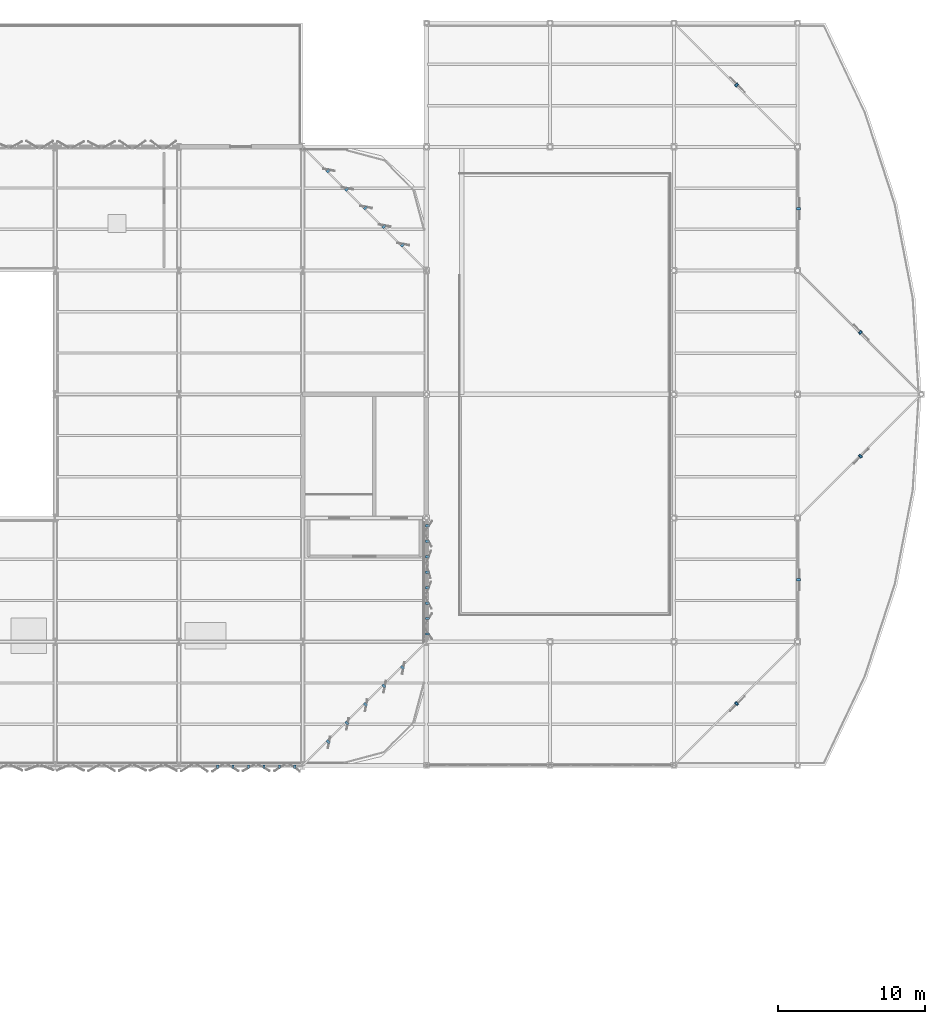
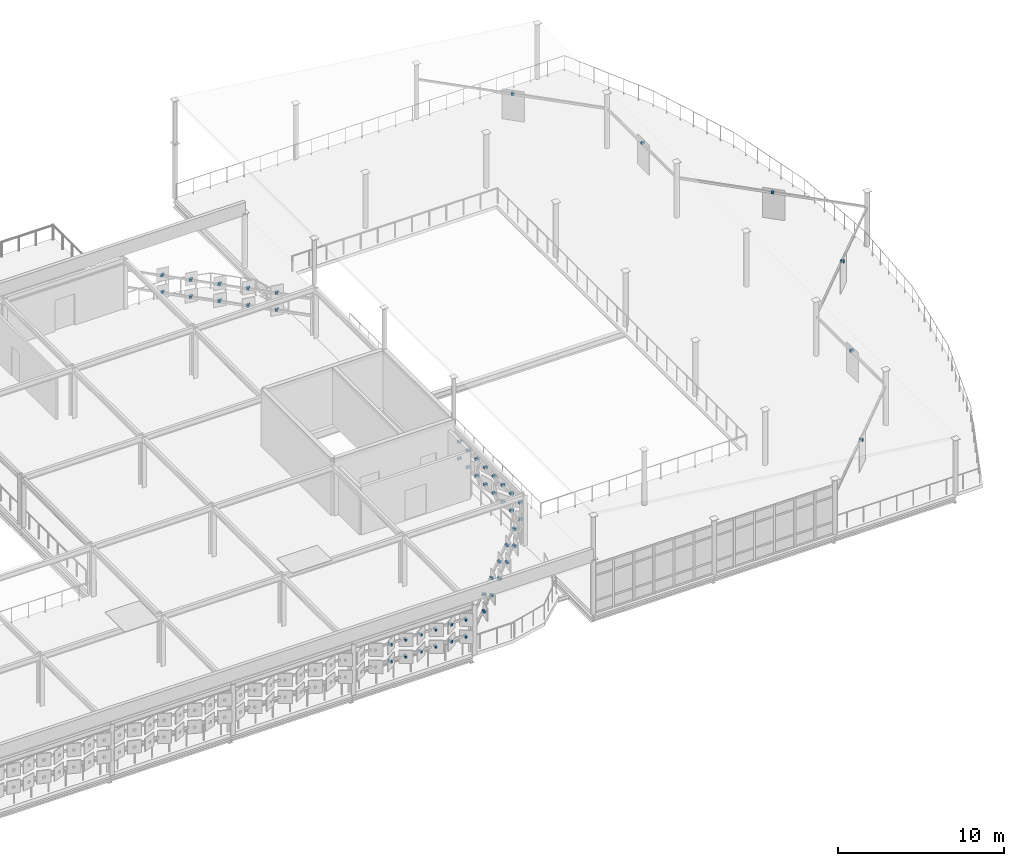
# One storey, part 60 of 65: 54 discrete accessories.
"""IFC4 building model written with IfcOpenShell, lengths in metres."""

from ifc_helpers import new_model, si_unit, direction, frame, origin, origin_2d, place, context, subcontext, project, spatial, rectangle, extrude, material, type_object, element, save


model = new_model("IFC4")

# Units and contexts
model_context = context("Model", 3, precision=1e-05, world=origin(), true_north=direction((0.0, 1.0)))
body_context = subcontext(model_context, "Body", "Model", "MODEL_VIEW")
ifc_project = project(units=[si_unit("LENGTHUNIT", "METRE"), si_unit("AREAUNIT", "SQUARE_METRE"), si_unit("VOLUMEUNIT", "CUBIC_METRE"), si_unit("PLANEANGLEUNIT", "RADIAN"), si_unit("MASSUNIT", "GRAM", prefix="KILO")], contexts=[model_context])

# Site, building, storey
site_placement = place(None, origin())
site = spatial("IfcSite", under=ifc_project, at=site_placement, CompositionType="ELEMENT")
building_placement = place(site_placement, origin())
building = spatial("IfcBuilding", under=site, at=building_placement, Name="Qalvenar Corner Mobility Hub", CompositionType="ELEMENT")
storey_placement = place(building_placement, frame((0.0, 0.0, 17.39990234375)))
storey = spatial("IfcBuildingStorey", under=building, at=storey_placement, Name="L04", CompositionType="ELEMENT", Elevation=17.39990234375)

# Discrete accessories
ifc_material = material(Name="Steel S355", Category="steel")
discrete_accessory_type = type_object("IfcDiscreteAccessoryType", Name="ACC-HINGE-BRK", PredefinedType="BRACKET", material=ifc_material)
for number, where, z_axis, x_axis, name in (
    (1, (128.625, 67.1201171875, 1.419921875), (0.0, 0.0, 1.0), (1.0, 0.0, 0.0), "Panel Hinge Bracket BK-L04-1197"),
    (2, (128.625, 67.1201171875, 2.669921875), (0.0, 0.0, 1.0), (1.0, 0.0, 0.0), "Panel Hinge Bracket BK-L04-1198"),
    (3, (129.675048828125, 67.1201171875, 1.419921875), (0.0, 0.0, 1.0), (1.0, 0.0, 0.0), "Panel Hinge Bracket BK-L04-1199"),
    (4, (129.675048828125, 67.1201171875, 2.669921875), (0.0, 0.0, 1.0), (1.0, 0.0, 0.0), "Panel Hinge Bracket BK-L04-1200"),
    (5, (130.72509765625, 67.1201171875, 1.419921875), (0.0, 0.0, 1.0), (1.0, 0.0, 0.0), "Panel Hinge Bracket BK-L04-1201"),
    (6, (130.72509765625, 67.1201171875, 2.669921875), (0.0, 0.0, 1.0), (1.0, 0.0, 0.0), "Panel Hinge Bracket BK-L04-1202"),
    (7, (131.77490234375, 67.1201171875, 1.419921875), (0.0, 0.0, 1.0), (1.0, 0.0, 0.0), "Panel Hinge Bracket BK-L04-1203"),
    (8, (131.77490234375, 67.1201171875, 2.669921875), (0.0, 0.0, 1.0), (1.0, 0.0, 0.0), "Panel Hinge Bracket BK-L04-1204"),
    (9, (132.824951171875, 67.1201171875, 1.419921875), (0.0, 0.0, 1.0), (1.0, 0.0, 0.0), "Panel Hinge Bracket BK-L04-1205"),
    (10, (132.824951171875, 67.1201171875, 2.669921875), (0.0, 0.0, 1.0), (1.0, 0.0, 0.0), "Panel Hinge Bracket BK-L04-1206"),
    (11, (133.875, 67.1201171875, 1.419921875), (0.0, 0.0, 1.0), (1.0, 0.0, 0.0), "Panel Hinge Bracket BK-L04-1207"),
    (12, (133.875, 67.1201171875, 2.669921875), (0.0, 0.0, 1.0), (1.0, 0.0, 0.0), "Panel Hinge Bracket BK-L04-1208"),
    (13, (142.8798828125, 76.125, 1.419921875), (0.0, 0.0, 1.0), (0.0, 1.0, 0.0), "Panel Hinge Bracket BK-L04-1353"),
    (14, (142.8798828125, 76.125, 2.669921875), (0.0, 0.0, 1.0), (0.0, 1.0, 0.0), "Panel Hinge Bracket BK-L04-1354"),
    (15, (142.8798828125, 77.175048828125, 1.419921875), (0.0, 0.0, 1.0), (0.0, 1.0, 0.0), "Panel Hinge Bracket BK-L04-1355"),
    (16, (142.8798828125, 77.175048828125, 2.669921875), (0.0, 0.0, 1.0), (0.0, 1.0, 0.0), "Panel Hinge Bracket BK-L04-1356"),
    (17, (142.8798828125, 78.22509765625, 1.419921875), (0.0, 0.0, 1.0), (0.0, 1.0, 0.0), "Panel Hinge Bracket BK-L04-1357"),
    (18, (142.8798828125, 78.22509765625, 2.669921875), (0.0, 0.0, 1.0), (0.0, 1.0, 0.0), "Panel Hinge Bracket BK-L04-1358"),
    (19, (142.8798828125, 79.27490234375, 1.419921875), (0.0, 0.0, 1.0), (0.0, 1.0, 0.0), "Panel Hinge Bracket BK-L04-1359"),
    (20, (142.8798828125, 79.27490234375, 2.669921875), (0.0, 0.0, 1.0), (0.0, 1.0, 0.0), "Panel Hinge Bracket BK-L04-1360"),
    (21, (142.8798828125, 80.324951171875, 1.419921875), (0.0, 0.0, 1.0), (0.0, 1.0, 0.0), "Panel Hinge Bracket BK-L04-1361"),
    (22, (142.8798828125, 80.324951171875, 2.669921875), (0.0, 0.0, 1.0), (0.0, 1.0, 0.0), "Panel Hinge Bracket BK-L04-1362"),
    (23, (142.8798828125, 81.375, 1.419921875), (0.0, 0.0, 1.0), (0.0, 1.0, 0.0), "Panel Hinge Bracket BK-L04-1363"),
    (24, (142.8798828125, 81.375, 2.669921875), (0.0, 0.0, 1.0), (0.0, 1.0, 0.0), "Panel Hinge Bracket BK-L04-1364"),
    (25, (142.8798828125, 82.425048828125, 1.419921875), (0.0, 0.0, 1.0), (0.0, 1.0, 0.0), "Panel Hinge Bracket BK-L04-1365"),
    (26, (142.8798828125, 82.425048828125, 2.669921875), (0.0, 0.0, 1.0), (0.0, 1.0, 0.0), "Panel Hinge Bracket BK-L04-1366"),
    (27, (142.8798828125, 83.47509765625, 1.419921875), (0.0, 0.0, 1.0), (0.0, 1.0, 0.0), "Panel Hinge Bracket BK-L04-1367"),
    (28, (142.8798828125, 83.47509765625, 2.669921875), (0.0, 0.0, 1.0), (0.0, 1.0, 0.0), "Panel Hinge Bracket BK-L04-1368"),
    (29, (136.13671875, 68.823486328125, 1.419921875), (0.0, 0.0, 1.0), (0.707106781187, 0.707106781187, 0.0), "Corner Hinge Bracket BKC-L04-1379"),
    (30, (137.396484375, 70.08349609375, 1.419921875), (0.0, 0.0, 1.0), (0.707106781187, 0.707106781187, 0.0), "Corner Hinge Bracket BKC-L04-1380"),
    (31, (138.656494140625, 71.343505859375, 1.419921875), (0.0, 0.0, 1.0), (0.707106781187, 0.707106781187, 0.0), "Corner Hinge Bracket BKC-L04-1381"),
    (32, (139.91650390625, 72.603515625, 1.419921875), (0.0, 0.0, 1.0), (0.707106781187, 0.707106781187, 0.0), "Corner Hinge Bracket BKC-L04-1382"),
    (33, (141.176513671875, 73.86328125, 1.419921875), (0.0, 0.0, 1.0), (0.707106781187, 0.707106781187, 0.0), "Corner Hinge Bracket BKC-L04-1383"),
    (34, (136.13671875, 68.823486328125, 2.669921875), (0.0, 0.0, 1.0), (0.707106781187, 0.707106781187, 0.0), "Corner Hinge Bracket BKC-L04-1384"),
    (35, (137.396484375, 70.08349609375, 2.669921875), (0.0, 0.0, 1.0), (0.707106781187, 0.707106781187, 0.0), "Corner Hinge Bracket BKC-L04-1385"),
    (36, (138.656494140625, 71.343505859375, 2.669921875), (0.0, 0.0, 1.0), (0.707106781187, 0.707106781187, 0.0), "Corner Hinge Bracket BKC-L04-1386"),
    (37, (139.91650390625, 72.603515625, 2.669921875), (0.0, 0.0, 1.0), (0.707106781187, 0.707106781187, 0.0), "Corner Hinge Bracket BKC-L04-1387"),
    (38, (141.176513671875, 73.86328125, 2.669921875), (0.0, 0.0, 1.0), (0.707106781187, 0.707106781187, 0.0), "Corner Hinge Bracket BKC-L04-1388"),
    (39, (141.176513671875, 102.53662109375, 1.419921875), (0.0, 0.0, 1.0), (-0.707106781187, 0.707106781187, 0.0), "Corner Hinge Bracket BKC-L04-1389"),
    (40, (139.91650390625, 103.796630859375, 1.419921875), (0.0, 0.0, 1.0), (-0.707106781187, 0.707106781187, 0.0), "Corner Hinge Bracket BKC-L04-1390"),
    (41, (138.656494140625, 105.056640625, 1.419921875), (0.0, 0.0, 1.0), (-0.707106781187, 0.707106781187, 0.0), "Corner Hinge Bracket BKC-L04-1391"),
    (42, (137.396484375, 106.316650390625, 1.419921875), (0.0, 0.0, 1.0), (-0.707106781187, 0.707106781187, 0.0), "Corner Hinge Bracket BKC-L04-1392"),
    (43, (136.13671875, 107.57666015625, 1.419921875), (0.0, 0.0, 1.0), (-0.707106781187, 0.707106781187, 0.0), "Corner Hinge Bracket BKC-L04-1393"),
    (44, (141.176513671875, 102.53662109375, 2.669921875), (0.0, 0.0, 1.0), (-0.707106781187, 0.707106781187, 0.0), "Corner Hinge Bracket BKC-L04-1394"),
    (45, (139.91650390625, 103.796630859375, 2.669921875), (0.0, 0.0, 1.0), (-0.707106781187, 0.707106781187, 0.0), "Corner Hinge Bracket BKC-L04-1395"),
    (46, (138.656494140625, 105.056640625, 2.669921875), (0.0, 0.0, 1.0), (-0.707106781187, 0.707106781187, 0.0), "Corner Hinge Bracket BKC-L04-1396"),
    (47, (137.396484375, 106.316650390625, 2.669921875), (0.0, 0.0, 1.0), (-0.707106781187, 0.707106781187, 0.0), "Corner Hinge Bracket BKC-L04-1397"),
    (48, (136.13671875, 107.57666015625, 2.669921875), (0.0, 0.0, 1.0), (-0.707106781187, 0.707106781187, 0.0), "Corner Hinge Bracket BKC-L04-1398"),
):
    element("IfcDiscreteAccessory", number, at=place(storey_placement, frame(where, z_axis=z_axis, x_axis=x_axis)), inside=storey, type_object=discrete_accessory_type, Name=name, PredefinedType="BRACKET", context=body_context, shape_type="SweptSolid", body=[
        extrude(rectangle(XDim=0.159912109375, YDim=0.260009765625, at=origin_2d()), origin(), (0.0, 0.0, 1.0), 0.159912109375),
    ])
for number, where, z_axis, x_axis, name in (
    (49, (163.860107421875, 71.39990234375, 2.77001953125), (0.0, 0.0, 1.0), (0.707106781187, 0.707106781187, 0.0), "Rotunda Screen Bracket BKV2-L04-1"),
    (50, (168.06005859375, 79.800048828125, 2.77001953125), (0.0, 0.0, 1.0), (0.0, 1.0, 0.0), "Rotunda Screen Bracket BKV2-L04-2"),
    (51, (172.260009765625, 88.199951171875, 2.77001953125), (0.0, 0.0, 1.0), (0.707106781187, 0.707106781187, 0.0), "Rotunda Screen Bracket BKV2-L04-3"),
    (52, (172.260009765625, 96.60009765625, 2.77001953125), (0.0, 0.0, 1.0), (-0.707106781187, 0.707106781187, 0.0), "Rotunda Screen Bracket BKV2-L04-4"),
    (53, (168.06005859375, 105.0, 2.77001953125), (0.0, 0.0, 1.0), (0.0, 1.0, 0.0), "Rotunda Screen Bracket BKV2-L04-5"),
    (54, (163.860107421875, 113.39990234375, 2.77001953125), (0.0, 0.0, 1.0), (-0.707106781187, 0.707106781187, 0.0), "Rotunda Screen Bracket BKV2-L04-6"),
):
    element("IfcDiscreteAccessory", number, at=place(storey_placement, frame(where, z_axis=z_axis, x_axis=x_axis)), inside=storey, type_object=discrete_accessory_type, Name=name, PredefinedType="BRACKET", context=body_context, shape_type="SweptSolid", body=[
        extrude(rectangle(XDim=0.159912109375, YDim=0.239990234375, at=origin_2d()), origin(), (0.0, 0.0, 1.0), 0.159912109375),
    ])

save(model, "model.ifc")
